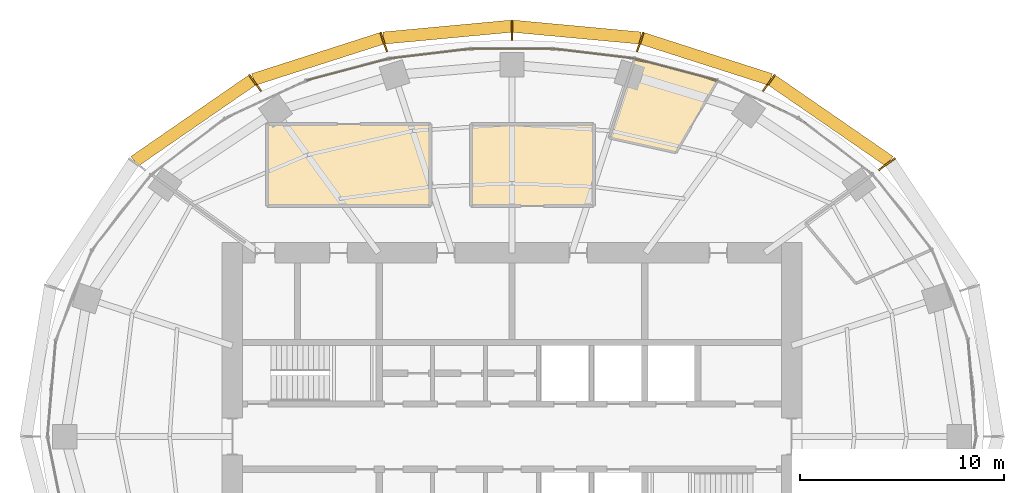
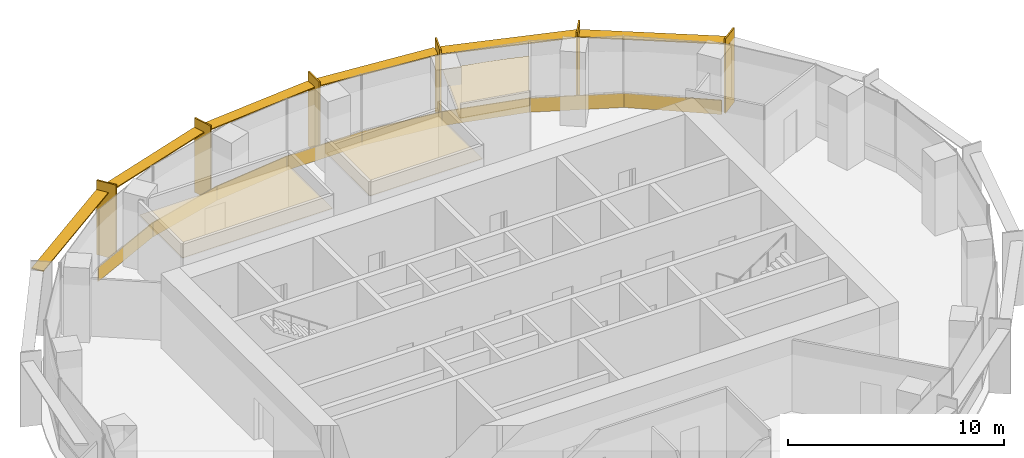
# One storey, part 13 of 13: 12 shading devices, 11 coverings.
"""IFC4 building model written with IfcOpenShell, lengths in metres."""

from ifc_helpers import new_model, si_unit, direction, frame, origin, origin_2d, place, context, subcontext, project, spatial, polyline, rectangle, outline, extrude, material, layer, layer_set, type_object, element, save


model = new_model("IFC4")

# Units and contexts
model_context = context("Model", 3, precision=1e-05, world=origin(), true_north=direction((0.0, 1.0)))
body_context = subcontext(model_context, "Body", "Model", "MODEL_VIEW")
ifc_project = project(units=[si_unit("LENGTHUNIT", "METRE"), si_unit("AREAUNIT", "SQUARE_METRE"), si_unit("VOLUMEUNIT", "CUBIC_METRE"), si_unit("PLANEANGLEUNIT", "RADIAN"), si_unit("MASSUNIT", "GRAM", prefix="KILO")], contexts=[model_context])

# Site, building, storey
site_placement = place(None, origin())
site = spatial("IfcSite", under=ifc_project, at=site_placement, CompositionType="ELEMENT")
building_placement = place(site_placement, origin())
building = spatial("IfcBuilding", under=site, at=building_placement, Name="Marramba Exchange Tower", CompositionType="ELEMENT")
storey_placement = place(building_placement, frame((0.0, 0.0, 268.60009765625)))
storey = spatial("IfcBuildingStorey", under=building, at=storey_placement, Name="L65", CompositionType="ELEMENT", Elevation=268.60009765625)

# Shading devices
ifc_material_1 = material(Name="Aluminium blade, timber-look bronze finish", Category="wood")
ifc_layer_1 = layer(ifc_material_1, 0.080078125)
ifc_layer_set_1 = layer_set([ifc_layer_1], Name="Floor-edge blade 1000x80")
shading_device_type_1 = type_object("IfcShadingDeviceType", Name="Floor-edge blade 1000x80", PredefinedType="USERDEFINED", material=ifc_layer_set_1)
for number, where, z_axis, x_axis, name in (
    (1, (18.361083984375, 13.340087890625, -0.16015625), (0.0, 0.0, 1.0), (0.809016994375, 0.587785252292, 0.0), "Floor-edge blade FB1 L65 TC03"),
    (2, (12.58056640625, 17.315673828125, -0.16015625), (0.0, 0.0, 1.0), (0.587785252292, 0.809016994375, 0.0), "Floor-edge blade FB1 L65 TC04"),
    (3, (6.279296875, 19.325439453125, -0.16015625), (0.0, 0.0, 1.0), (0.309016994375, 0.951056516295, 0.0), "Floor-edge blade FB1 L65 TC05"),
    (4, (0.0, 19.904052734375, -0.16015625), (0.0, 0.0, 1.0), (0.0, 1.0, 0.0), "Floor-edge blade FB1 L65 TC06"),
    (5, (-6.279296875, 19.325439453125, -0.16015625), (0.0, 0.0, 1.0), (-0.309016994375, 0.951056516295, 0.0), "Floor-edge blade FB1 L65 TC07"),
    (6, (-12.58056640625, 17.315673828125, -0.16015625), (0.0, 0.0, 1.0), (-0.587785252292, 0.809016994375, 0.0), "Floor-edge blade FB1 L65 TC08"),
):
    element("IfcShadingDevice", number, at=place(storey_placement, frame(where, z_axis=z_axis, x_axis=x_axis)), inside=storey, type_object=shading_device_type_1, Name=name, ObjectType="FIN", PredefinedType="USERDEFINED", context=body_context, shape_type="SweptSolid", body=[
        extrude(rectangle(XDim=1.0, YDim=0.080078125, at=origin_2d()), origin(), (0.0, 0.0, 1.0), 4.199951171875),
    ])
ifc_material_2 = material(Name="Aluminium sunshade, bronze anodised", Category="aluminium")
ifc_layer_2 = layer(ifc_material_2, 0.06005859375)
ifc_layer_set_2 = layer_set([ifc_layer_2], Name="SUNSHADE blade 600x60")
shading_device_type_2 = type_object("IfcShadingDeviceType", Name="SUNSHADE blade 600x60", PredefinedType="USERDEFINED", material=ifc_layer_set_2)
shading_device_1_placement = place(storey_placement, frame((15.610595703125, 15.467529296875, 3.4599609375), z_axis=(0.0, 0.0, 1.0), x_axis=(-0.823024460267, 0.568005931134, 0.0)))
element("IfcShadingDevice", 7, at=shading_device_1_placement, inside=storey, type_object=shading_device_type_2, Name="Sunshade SS1 L65 bay 03", ObjectType="SUNSHADE", PredefinedType="USERDEFINED", context=body_context, shape_type="SweptSolid", body=[
    extrude(rectangle(XDim=6.9970703125, YDim=0.60009765625, at=origin_2d()), origin(), (0.0, 0.0, 1.0), 0.06005859375),
])
shading_device_2_placement = place(storey_placement, frame((9.51953125, 18.49658203125, 3.4599609375), z_axis=(0.0, 0.0, 1.0), x_axis=(-0.952259596472, 0.30528947071, 0.0)))
element("IfcShadingDevice", 8, at=shading_device_2_placement, inside=storey, type_object=shading_device_type_2, Name="Sunshade SS1 L65 bay 04", ObjectType="SUNSHADE", PredefinedType="USERDEFINED", context=body_context, shape_type="SweptSolid", body=[
    extrude(rectangle(XDim=6.595947265625, YDim=0.60009765625, at=origin_2d()), origin(), (0.0, 0.0, 1.0), 0.06005859375),
])
for number, where, z_axis, x_axis, name in (
    (9, (3.17041015625, 19.809814453125, 3.4599609375), (0.0, 0.0, 1.0), (-0.995722269911, 0.092396759698, 0.0), "Sunshade SS1 L65 bay 05"),
    (10, (-3.17041015625, 19.809814453125, 3.4599609375), (0.0, 0.0, 1.0), (-0.995722269911, -0.092396759698, 0.0), "Sunshade SS1 L65 bay 06"),
):
    element("IfcShadingDevice", number, at=place(storey_placement, frame(where, z_axis=z_axis, x_axis=x_axis)), inside=storey, type_object=shading_device_type_2, Name=name, ObjectType="SUNSHADE", PredefinedType="USERDEFINED", context=body_context, shape_type="SweptSolid", body=[
        extrude(rectangle(XDim=6.288330078125, YDim=0.60009765625, at=origin_2d()), origin(), (0.0, 0.0, 1.0), 0.06005859375),
    ])
shading_device_3_placement = place(storey_placement, frame((-9.51953125, 18.49658203125, 3.4599609375), z_axis=(0.0, 0.0, 1.0), x_axis=(-0.952259596472, -0.30528947071, 0.0)))
element("IfcShadingDevice", 11, at=shading_device_3_placement, inside=storey, type_object=shading_device_type_2, Name="Sunshade SS1 L65 bay 07", ObjectType="SUNSHADE", PredefinedType="USERDEFINED", context=body_context, shape_type="SweptSolid", body=[
    extrude(rectangle(XDim=6.595947265625, YDim=0.60009765625, at=origin_2d()), origin(), (0.0, 0.0, 1.0), 0.06005859375),
])
shading_device_4_placement = place(storey_placement, frame((-15.610595703125, 15.467529296875, 3.4599609375), z_axis=(0.0, 0.0, 1.0), x_axis=(-0.823024460267, -0.568005931134, 0.0)))
element("IfcShadingDevice", 12, at=shading_device_4_placement, inside=storey, type_object=shading_device_type_2, Name="Sunshade SS1 L65 bay 08", ObjectType="SUNSHADE", PredefinedType="USERDEFINED", context=body_context, shape_type="SweptSolid", body=[
    extrude(rectangle(XDim=6.9970703125, YDim=0.60009765625, at=origin_2d()), origin(), (0.0, 0.0, 1.0), 0.06005859375),
])

# Coverings
ifc_material_3 = material(Name="Aluminium spandrel panel, bronze anodised, insulated", Category="aluminium")
ifc_layer_3 = layer(ifc_material_3, 0.050048828125)
ifc_layer_set_3 = layer_set([ifc_layer_3], Name="Spandrel panel 800")
covering_type_1 = type_object("IfcCoveringType", Name="Spandrel panel 800", PredefinedType="CLADDING", material=ifc_layer_set_3)
covering_1_placement = place(storey_placement, frame((15.859375, 14.2197265625, 0.0), z_axis=(0.0, 0.0, 1.0), x_axis=(-0.796058898731, 0.605219158447, 0.0)))
element("IfcCovering", 13, at=covering_1_placement, inside=storey, type_object=covering_type_1, Name="Spandrel panel SP1 L65 F04", PredefinedType="CLADDING", context=body_context, shape_type="SweptSolid", body=[
    extrude(rectangle(XDim=4.5576171875, YDim=0.050048828125, at=origin_2d()), origin(), (0.0, 0.0, 1.0), 0.800048828125),
])
covering_2_placement = place(storey_placement, frame((12.057861328125, 16.520751953125, 0.0), z_axis=(0.0, 0.0, 1.0), x_axis=(-0.907130582029, 0.420849268918, 0.0)))
element("IfcCovering", 14, at=covering_2_placement, inside=storey, type_object=covering_type_1, Name="Spandrel panel SP1 L65 F05", PredefinedType="CLADDING", context=body_context, shape_type="SweptSolid", body=[
    extrude(rectangle(XDim=4.381591796875, YDim=0.050048828125, at=origin_2d()), origin(), (0.0, 0.0, 1.0), 0.800048828125),
])
covering_3_placement = place(storey_placement, frame((8.04345703125, 17.97998046875, 0.0), z_axis=(0.0, 0.0, 1.0), x_axis=(-0.966643517403, 0.256125575184, 0.0)))
element("IfcCovering", 15, at=covering_3_placement, inside=storey, type_object=covering_type_1, Name="Spandrel panel SP1 L65 F06", PredefinedType="CLADDING", context=body_context, shape_type="SweptSolid", body=[
    extrude(rectangle(XDim=4.194091796875, YDim=0.050048828125, at=origin_2d()), origin(), (0.0, 0.0, 1.0), 0.800048828125),
])
covering_4_placement = place(storey_placement, frame((4.006591796875, 18.757080078125, 0.0), z_axis=(0.0, 0.0, 1.0), x_axis=(-0.992947252913, 0.118556960709, 0.0)))
element("IfcCovering", 16, at=covering_4_placement, inside=storey, type_object=covering_type_1, Name="Spandrel panel SP1 L65 F07", PredefinedType="CLADDING", context=body_context, shape_type="SweptSolid", body=[
    extrude(rectangle(XDim=4.04833984375, YDim=0.050048828125, at=origin_2d()), origin(), (0.0, 0.0, 1.0), 0.800048828125),
])
covering_5_placement = place(storey_placement, frame((0.0, 18.9970703125, 0.0), z_axis=(0.0, 0.0, 1.0), x_axis=(-1.0, 0.0, 0.0)))
element("IfcCovering", 17, at=covering_5_placement, inside=storey, type_object=covering_type_1, Name="Spandrel panel SP1 L65 F08", PredefinedType="CLADDING", context=body_context, shape_type="SweptSolid", body=[
    extrude(rectangle(XDim=3.993408203125, YDim=0.050048828125, at=origin_2d()), origin(), (0.0, 0.0, 1.0), 0.800048828125),
])
covering_6_placement = place(storey_placement, frame((-4.006591796875, 18.757080078125, 0.0), z_axis=(0.0, 0.0, 1.0), x_axis=(-0.992947252913, -0.118556960709, 0.0)))
element("IfcCovering", 18, at=covering_6_placement, inside=storey, type_object=covering_type_1, Name="Spandrel panel SP1 L65 F09", PredefinedType="CLADDING", context=body_context, shape_type="SweptSolid", body=[
    extrude(rectangle(XDim=4.04833984375, YDim=0.050048828125, at=origin_2d()), origin(), (0.0, 0.0, 1.0), 0.800048828125),
])
covering_7_placement = place(storey_placement, frame((-8.04345703125, 17.97998046875, 0.0), z_axis=(0.0, 0.0, 1.0), x_axis=(-0.966643517403, -0.256125575184, 0.0)))
element("IfcCovering", 19, at=covering_7_placement, inside=storey, type_object=covering_type_1, Name="Spandrel panel SP1 L65 F10", PredefinedType="CLADDING", context=body_context, shape_type="SweptSolid", body=[
    extrude(rectangle(XDim=4.194091796875, YDim=0.050048828125, at=origin_2d()), origin(), (0.0, 0.0, 1.0), 0.800048828125),
])
covering_8_placement = place(storey_placement, frame((-12.057861328125, 16.520751953125, 0.0), z_axis=(0.0, 0.0, 1.0), x_axis=(-0.907130582029, -0.420849268918, 0.0)))
element("IfcCovering", 20, at=covering_8_placement, inside=storey, type_object=covering_type_1, Name="Spandrel panel SP1 L65 F11", PredefinedType="CLADDING", context=body_context, shape_type="SweptSolid", body=[
    extrude(rectangle(XDim=4.381591796875, YDim=0.050048828125, at=origin_2d()), origin(), (0.0, 0.0, 1.0), 0.800048828125),
])
ifc_material_4 = material(Name="Mineral fibre ceiling tiles", Category="gypsum")
ifc_layer_4 = layer(ifc_material_4, 0.02001953125)
ifc_layer_set_4 = layer_set([ifc_layer_4], Name="Suspended ceiling 20")
covering_type_2 = type_object("IfcCoveringType", Name="Suspended ceiling 20", PredefinedType="CEILING", material=ifc_layer_set_4)
covering_9_placement = place(storey_placement, frame((0.0, 0.0, 3.199951171875)))
element("IfcCovering", 21, at=covering_9_placement, inside=storey, type_object=covering_type_2, Name="Ceiling CL1 L65 Executive Office 1", PredefinedType="CEILING", context=body_context, shape_type="SweptSolid", body=[
    extrude(outline(polyline([(6.115478515625, 18.415771484375), (7.0, 18.23583984375), (8.010498046875, 17.99169921875), (9.021240234375, 17.705078125), (9.088134765625, 17.68310546875), (10.030517578125, 17.37353515625), (8.030517578125, 13.909423828125), (4.755615234375, 14.63671875), (5.99169921875, 18.44091796875), (6.115478515625, 18.415771484375)])), origin(), (0.0, 0.0, 1.0), 0.02001953125),
])
covering_10_placement = place(storey_placement, frame((0.0, 0.0, 3.199951171875)))
element("IfcCovering", 22, at=covering_10_placement, inside=storey, type_object=covering_type_2, Name="Ceiling CL1 L65 Meeting Room 1", PredefinedType="CEILING", context=body_context, shape_type="SweptSolid", body=[
    extrude(outline(polyline([(-4.0, 11.300048828125), (-12.0, 11.300048828125), (-12.0, 15.300048828125), (-4.0, 15.300048828125), (-4.0, 11.300048828125)])), origin(), (0.0, 0.0, 1.0), 0.02001953125),
])
covering_11_placement = place(storey_placement, frame((0.0, 0.0, 3.199951171875)))
element("IfcCovering", 23, at=covering_11_placement, inside=storey, type_object=covering_type_2, Name="Ceiling CL1 L65 Meeting Room 2", PredefinedType="CEILING", context=body_context, shape_type="SweptSolid", body=[
    extrude(outline(polyline([(4.0, 11.300048828125), (-2.0, 11.300048828125), (-2.0, 15.300048828125), (4.0, 15.300048828125), (4.0, 11.300048828125)])), origin(), (0.0, 0.0, 1.0), 0.02001953125),
])

save(model, "model.ifc")
